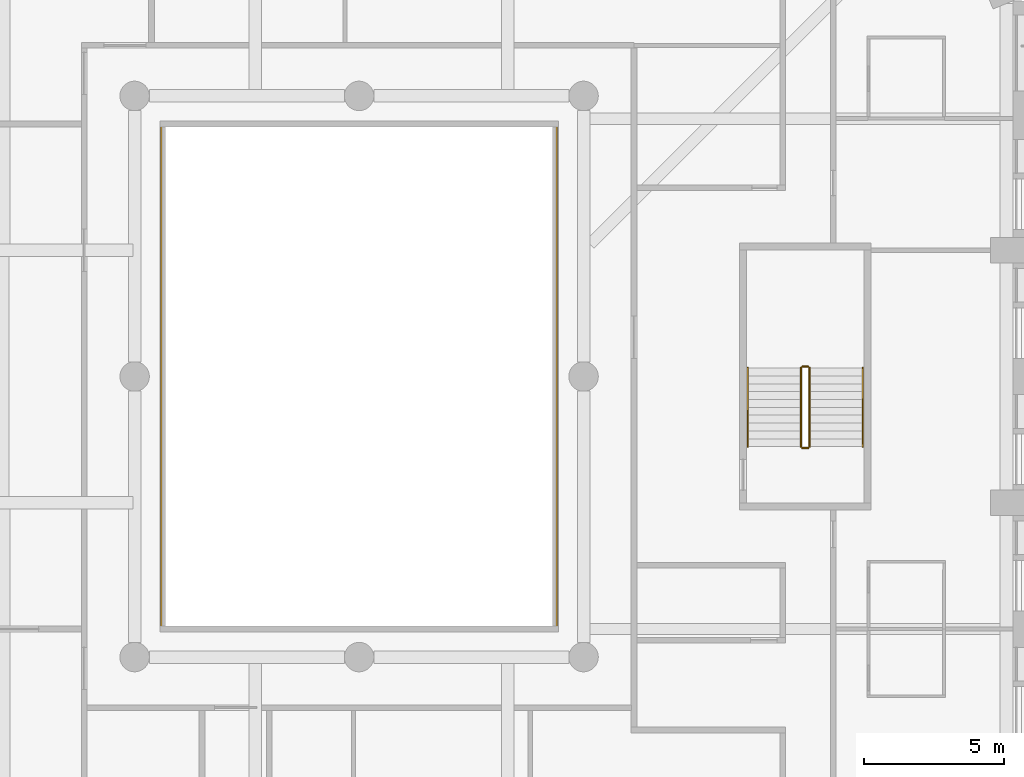
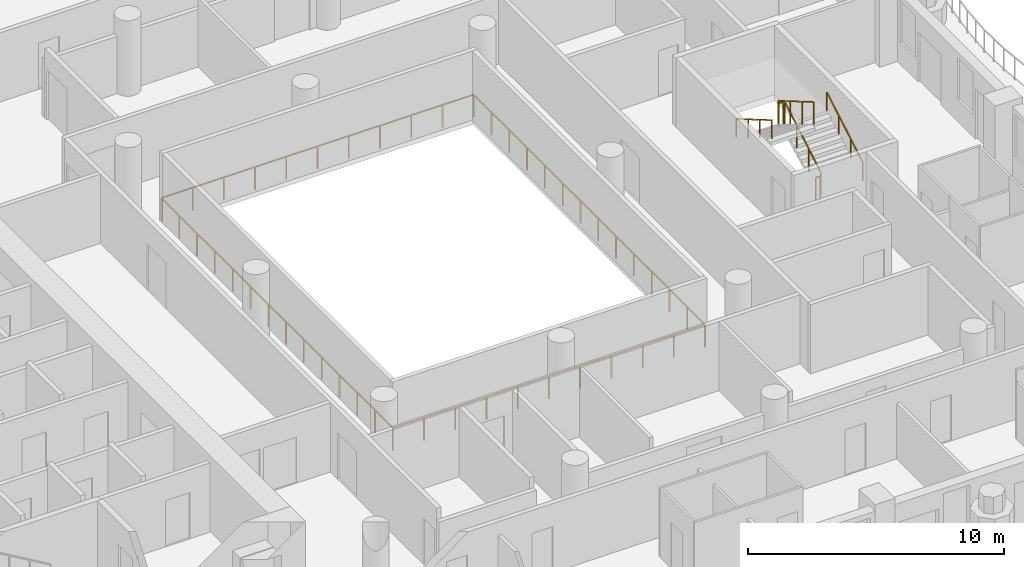
# One storey, part 16 of 21: 7 railings.
"""IFC4 building model written with IfcOpenShell, lengths in metres."""

from ifc_helpers import new_model, si_unit, direction, frame, origin, origin_2d, place, context, subcontext, project, spatial, rectangle, extrude, material, type_object, element, save


model = new_model("IFC4")

# Units and contexts
model_context = context("Model", 3, precision=1e-05, world=origin(), true_north=direction((0.0, 1.0)))
body_context = subcontext(model_context, "Body", "Model", "MODEL_VIEW")
ifc_project = project(units=[si_unit("LENGTHUNIT", "METRE"), si_unit("AREAUNIT", "SQUARE_METRE"), si_unit("VOLUMEUNIT", "CUBIC_METRE"), si_unit("PLANEANGLEUNIT", "RADIAN"), si_unit("MASSUNIT", "GRAM", prefix="KILO")], contexts=[model_context])

# Site, building, storey
site_placement = place(None, origin())
site = spatial("IfcSite", under=ifc_project, at=site_placement, CompositionType="ELEMENT")
building_placement = place(site_placement, origin())
building = spatial("IfcBuilding", under=site, at=building_placement, Name="Cypress Arch Tower", CompositionType="ELEMENT")
storey_placement = place(building_placement, frame((0.0, 0.0, 127.5)))
storey = spatial("IfcBuildingStorey", under=building, at=storey_placement, Name="L27", CompositionType="ELEMENT", Elevation=127.5)

# Railings
ifc_material_1 = material(Name="Stainless steel posts and handrail, laminated glass infill", Category="steel")
railing_type_1 = type_object("IfcRailingType", Name="Atrium guard GR1100A", PredefinedType="GUARDRAIL", material=ifc_material_1)
railing_1_placement = place(storey_placement, frame((8.050048828125, -9.050048828125, 0.0)))
element("IfcRailing", 1, at=railing_1_placement, inside=storey, type_object=railing_type_1, Name="Atrium guard L27", PredefinedType="GUARDRAIL", context=body_context, shape_type="SweptSolid", body=[
    extrude(rectangle(XDim=0.050048828125, YDim=0.050048828125, at=origin_2d()), frame((0.0, 0.0, 1.0751953125), z_axis=(-1.0, 0.0, 0.0), x_axis=(0.0, -1.0, 0.0)), (0.0, 0.0, 1.0), 14.10009765625),
    extrude(rectangle(XDim=0.050048828125, YDim=0.050048828125, at=origin_2d()), frame((-14.10009765625, 0.0, 1.0751953125), z_axis=(0.0, 1.0, 0.0), x_axis=(-1.0, 0.0, 0.0)), (0.0, 0.0, 1.0), 18.10009765625),
    extrude(rectangle(XDim=0.050048828125, YDim=0.050048828125, at=origin_2d()), frame((-14.10009765625, 18.10009765625, 1.0751953125), z_axis=(1.0, 0.0, 0.0), x_axis=(0.0, 1.0, 0.0)), (0.0, 0.0, 1.0), 14.10009765625),
    extrude(rectangle(XDim=0.050048828125, YDim=0.050048828125, at=origin_2d()), frame((0.0, 18.10009765625, 1.0751953125), z_axis=(0.0, -1.0, 0.0), x_axis=(1.0, 0.0, 0.0)), (0.0, 0.0, 1.0), 18.10009765625),
    extrude(rectangle(XDim=0.050048828125, YDim=0.050048828125, at=origin_2d()), origin(), (0.0, 0.0, 1.0), 1.050048828125),
    extrude(rectangle(XDim=0.050048828125, YDim=0.050048828125, at=origin_2d()), frame((-1.409912109375, 0.0, 0.0)), (0.0, 0.0, 1.0), 1.050048828125),
    extrude(rectangle(XDim=0.050048828125, YDim=0.050048828125, at=origin_2d()), frame((-2.820068359375, 0.0, 0.0)), (0.0, 0.0, 1.0), 1.050048828125),
    extrude(rectangle(XDim=0.050048828125, YDim=0.050048828125, at=origin_2d()), frame((-4.22998046875, 0.0, 0.0)), (0.0, 0.0, 1.0), 1.050048828125),
    extrude(rectangle(XDim=0.050048828125, YDim=0.050048828125, at=origin_2d()), frame((-5.64013671875, 0.0, 0.0)), (0.0, 0.0, 1.0), 1.050048828125),
    extrude(rectangle(XDim=0.050048828125, YDim=0.050048828125, at=origin_2d()), frame((-7.050048828125, 0.0, 0.0)), (0.0, 0.0, 1.0), 1.050048828125),
    extrude(rectangle(XDim=0.050048828125, YDim=0.050048828125, at=origin_2d()), frame((-8.4599609375, 0.0, 0.0)), (0.0, 0.0, 1.0), 1.050048828125),
    extrude(rectangle(XDim=0.050048828125, YDim=0.050048828125, at=origin_2d()), frame((-9.8701171875, 0.0, 0.0)), (0.0, 0.0, 1.0), 1.050048828125),
    extrude(rectangle(XDim=0.050048828125, YDim=0.050048828125, at=origin_2d()), frame((-11.280029296875, 0.0, 0.0)), (0.0, 0.0, 1.0), 1.050048828125),
    extrude(rectangle(XDim=0.050048828125, YDim=0.050048828125, at=origin_2d()), frame((-12.690185546875, 0.0, 0.0)), (0.0, 0.0, 1.0), 1.050048828125),
    extrude(rectangle(XDim=0.050048828125, YDim=0.050048828125, at=origin_2d()), frame((-14.10009765625, 0.0, 0.0)), (0.0, 0.0, 1.0), 1.050048828125),
    extrude(rectangle(XDim=0.050048828125, YDim=0.050048828125, at=origin_2d()), frame((-14.10009765625, 1.392333984375, 0.0)), (0.0, 0.0, 1.0), 1.050048828125),
    extrude(rectangle(XDim=0.050048828125, YDim=0.050048828125, at=origin_2d()), frame((-14.10009765625, 2.78466796875, 0.0)), (0.0, 0.0, 1.0), 1.050048828125),
    extrude(rectangle(XDim=0.050048828125, YDim=0.050048828125, at=origin_2d()), frame((-14.10009765625, 4.177001953125, 0.0)), (0.0, 0.0, 1.0), 1.050048828125),
    extrude(rectangle(XDim=0.050048828125, YDim=0.050048828125, at=origin_2d()), frame((-14.10009765625, 5.5693359375, 0.0)), (0.0, 0.0, 1.0), 1.050048828125),
    extrude(rectangle(XDim=0.050048828125, YDim=0.050048828125, at=origin_2d()), frame((-14.10009765625, 6.961669921875, 0.0)), (0.0, 0.0, 1.0), 1.050048828125),
    extrude(rectangle(XDim=0.050048828125, YDim=0.050048828125, at=origin_2d()), frame((-14.10009765625, 8.35400390625, 0.0)), (0.0, 0.0, 1.0), 1.050048828125),
    extrude(rectangle(XDim=0.050048828125, YDim=0.050048828125, at=origin_2d()), frame((-14.10009765625, 9.74609375, 0.0)), (0.0, 0.0, 1.0), 1.050048828125),
    extrude(rectangle(XDim=0.050048828125, YDim=0.050048828125, at=origin_2d()), frame((-14.10009765625, 11.138427734375, 0.0)), (0.0, 0.0, 1.0), 1.050048828125),
    extrude(rectangle(XDim=0.050048828125, YDim=0.050048828125, at=origin_2d()), frame((-14.10009765625, 12.53076171875, 0.0)), (0.0, 0.0, 1.0), 1.050048828125),
    extrude(rectangle(XDim=0.050048828125, YDim=0.050048828125, at=origin_2d()), frame((-14.10009765625, 13.923095703125, 0.0)), (0.0, 0.0, 1.0), 1.050048828125),
    extrude(rectangle(XDim=0.050048828125, YDim=0.050048828125, at=origin_2d()), frame((-14.10009765625, 15.3154296875, 0.0)), (0.0, 0.0, 1.0), 1.050048828125),
    extrude(rectangle(XDim=0.050048828125, YDim=0.050048828125, at=origin_2d()), frame((-14.10009765625, 16.707763671875, 0.0)), (0.0, 0.0, 1.0), 1.050048828125),
    extrude(rectangle(XDim=0.050048828125, YDim=0.050048828125, at=origin_2d()), frame((-14.10009765625, 18.10009765625, 0.0)), (0.0, 0.0, 1.0), 1.050048828125),
    extrude(rectangle(XDim=0.050048828125, YDim=0.050048828125, at=origin_2d()), frame((-12.690185546875, 18.10009765625, 0.0)), (0.0, 0.0, 1.0), 1.050048828125),
    extrude(rectangle(XDim=0.050048828125, YDim=0.050048828125, at=origin_2d()), frame((-11.280029296875, 18.10009765625, 0.0)), (0.0, 0.0, 1.0), 1.050048828125),
    extrude(rectangle(XDim=0.050048828125, YDim=0.050048828125, at=origin_2d()), frame((-9.8701171875, 18.10009765625, 0.0)), (0.0, 0.0, 1.0), 1.050048828125),
    extrude(rectangle(XDim=0.050048828125, YDim=0.050048828125, at=origin_2d()), frame((-8.4599609375, 18.10009765625, 0.0)), (0.0, 0.0, 1.0), 1.050048828125),
    extrude(rectangle(XDim=0.050048828125, YDim=0.050048828125, at=origin_2d()), frame((-7.050048828125, 18.10009765625, 0.0)), (0.0, 0.0, 1.0), 1.050048828125),
    extrude(rectangle(XDim=0.050048828125, YDim=0.050048828125, at=origin_2d()), frame((-5.64013671875, 18.10009765625, 0.0)), (0.0, 0.0, 1.0), 1.050048828125),
    extrude(rectangle(XDim=0.050048828125, YDim=0.050048828125, at=origin_2d()), frame((-4.22998046875, 18.10009765625, 0.0)), (0.0, 0.0, 1.0), 1.050048828125),
    extrude(rectangle(XDim=0.050048828125, YDim=0.050048828125, at=origin_2d()), frame((-2.820068359375, 18.10009765625, 0.0)), (0.0, 0.0, 1.0), 1.050048828125),
    extrude(rectangle(XDim=0.050048828125, YDim=0.050048828125, at=origin_2d()), frame((-1.409912109375, 18.10009765625, 0.0)), (0.0, 0.0, 1.0), 1.050048828125),
    extrude(rectangle(XDim=0.050048828125, YDim=0.050048828125, at=origin_2d()), frame((0.0, 18.10009765625, 0.0)), (0.0, 0.0, 1.0), 1.050048828125),
    extrude(rectangle(XDim=0.050048828125, YDim=0.050048828125, at=origin_2d()), frame((0.0, 16.707763671875, 0.0)), (0.0, 0.0, 1.0), 1.050048828125),
    extrude(rectangle(XDim=0.050048828125, YDim=0.050048828125, at=origin_2d()), frame((0.0, 15.3154296875, 0.0)), (0.0, 0.0, 1.0), 1.050048828125),
    extrude(rectangle(XDim=0.050048828125, YDim=0.050048828125, at=origin_2d()), frame((0.0, 13.923095703125, 0.0)), (0.0, 0.0, 1.0), 1.050048828125),
    extrude(rectangle(XDim=0.050048828125, YDim=0.050048828125, at=origin_2d()), frame((0.0, 12.53076171875, 0.0)), (0.0, 0.0, 1.0), 1.050048828125),
    extrude(rectangle(XDim=0.050048828125, YDim=0.050048828125, at=origin_2d()), frame((0.0, 11.138427734375, 0.0)), (0.0, 0.0, 1.0), 1.050048828125),
    extrude(rectangle(XDim=0.050048828125, YDim=0.050048828125, at=origin_2d()), frame((0.0, 9.74609375, 0.0)), (0.0, 0.0, 1.0), 1.050048828125),
    extrude(rectangle(XDim=0.050048828125, YDim=0.050048828125, at=origin_2d()), frame((0.0, 8.35400390625, 0.0)), (0.0, 0.0, 1.0), 1.050048828125),
    extrude(rectangle(XDim=0.050048828125, YDim=0.050048828125, at=origin_2d()), frame((0.0, 6.961669921875, 0.0)), (0.0, 0.0, 1.0), 1.050048828125),
    extrude(rectangle(XDim=0.050048828125, YDim=0.050048828125, at=origin_2d()), frame((0.0, 5.5693359375, 0.0)), (0.0, 0.0, 1.0), 1.050048828125),
    extrude(rectangle(XDim=0.050048828125, YDim=0.050048828125, at=origin_2d()), frame((0.0, 4.177001953125, 0.0)), (0.0, 0.0, 1.0), 1.050048828125),
    extrude(rectangle(XDim=0.050048828125, YDim=0.050048828125, at=origin_2d()), frame((0.0, 2.78466796875, 0.0)), (0.0, 0.0, 1.0), 1.050048828125),
    extrude(rectangle(XDim=0.050048828125, YDim=0.050048828125, at=origin_2d()), frame((0.0, 1.392333984375, 0.0)), (0.0, 0.0, 1.0), 1.050048828125),
])
ifc_material_2 = material(Name="Black powder-coated steel square bar 48 mm", Category="steel")
railing_type_2 = type_object("IfcRailingType", Name="Stair handrail HR1", PredefinedType="HANDRAIL", material=ifc_material_2)
railing_2_placement = place(storey_placement, frame((18.949951171875, -2.5, 0.16357421875)))
element("IfcRailing", 2, at=railing_2_placement, inside=storey, type_object=railing_type_2, Name="L27 C stair handrail 1", PredefinedType="HANDRAIL", context=body_context, shape_type="SweptSolid", body=[
    extrude(rectangle(XDim=0.048095703125, YDim=0.048095703125, at=origin_2d()), frame((0.0, 0.0, 0.8759765625), z_axis=(0.0, 0.863360870873, 0.504586966384), x_axis=(-1.0, 0.0, 0.0)), (0.0, 0.0, 1.0), 3.2431640625),
    extrude(rectangle(XDim=0.0419921875, YDim=0.0419921875, at=origin_2d()), origin(), (0.0, 0.0, 1.0), 0.851806640625),
    extrude(rectangle(XDim=0.0419921875, YDim=0.0419921875, at=origin_2d()), frame((0.0, 0.933349609375, 0.54541015625)), (0.0, 0.0, 1.0), 0.851806640625),
    extrude(rectangle(XDim=0.0419921875, YDim=0.0419921875, at=origin_2d()), frame((0.0, 1.86669921875, 1.091064453125)), (0.0, 0.0, 1.0), 0.851806640625),
    extrude(rectangle(XDim=0.0419921875, YDim=0.0419921875, at=origin_2d()), frame((0.0, 2.800048828125, 1.636474609375)), (0.0, 0.0, 1.0), 0.851806640625),
])
railing_3_placement = place(storey_placement, frame((14.85009765625, 0.300048828125, 1.963623046875)))
element("IfcRailing", 3, at=railing_3_placement, inside=storey, type_object=railing_type_2, Name="L27 C stair handrail 2", PredefinedType="HANDRAIL", context=body_context, shape_type="SweptSolid", body=[
    extrude(rectangle(XDim=0.048095703125, YDim=0.048095703125, at=origin_2d()), frame((0.0, 0.0, 0.8759765625), z_axis=(0.0, -0.863360870873, 0.504586966384), x_axis=(1.0, 0.0, 0.0)), (0.0, 0.0, 1.0), 3.2431640625),
    extrude(rectangle(XDim=0.0419921875, YDim=0.0419921875, at=origin_2d()), origin(), (0.0, 0.0, 1.0), 0.851806640625),
    extrude(rectangle(XDim=0.0419921875, YDim=0.0419921875, at=origin_2d()), frame((0.0, -0.933349609375, 0.54541015625)), (0.0, 0.0, 1.0), 0.851806640625),
    extrude(rectangle(XDim=0.0419921875, YDim=0.0419921875, at=origin_2d()), frame((0.0, -1.86669921875, 1.091064453125)), (0.0, 0.0, 1.0), 0.851806640625),
    extrude(rectangle(XDim=0.0419921875, YDim=0.0419921875, at=origin_2d()), frame((0.0, -2.800048828125, 1.636474609375)), (0.0, 0.0, 1.0), 0.851806640625),
])
ifc_material_3 = material(Name="Black powder-coated steel balusters", Category="steel")
railing_type_3 = type_object("IfcRailingType", Name="Stair well guard G1", PredefinedType="GUARDRAIL", material=ifc_material_3)
railing_4_placement = place(storey_placement, frame((17.050048828125, -2.5, 0.16357421875)))
element("IfcRailing", 4, at=railing_4_placement, inside=storey, type_object=railing_type_3, Name="L27 C stair guard 1", PredefinedType="GUARDRAIL", context=body_context, shape_type="SweptSolid", body=[
    extrude(rectangle(XDim=0.048095703125, YDim=0.048095703125, at=origin_2d()), frame((0.0, 0.0, 1.076171875), z_axis=(0.0, 0.863360870873, 0.504586966384), x_axis=(-1.0, 0.0, 0.0)), (0.0, 0.0, 1.0), 3.2431640625),
    extrude(rectangle(XDim=0.0419921875, YDim=0.0419921875, at=origin_2d()), origin(), (0.0, 0.0, 1.0), 1.052001953125),
    extrude(rectangle(XDim=0.0419921875, YDim=0.0419921875, at=origin_2d()), frame((0.0, 0.933349609375, 0.54541015625)), (0.0, 0.0, 1.0), 1.052001953125),
    extrude(rectangle(XDim=0.0419921875, YDim=0.0419921875, at=origin_2d()), frame((0.0, 1.86669921875, 1.091064453125)), (0.0, 0.0, 1.0), 1.052001953125),
    extrude(rectangle(XDim=0.0419921875, YDim=0.0419921875, at=origin_2d()), frame((0.0, 2.800048828125, 1.636474609375)), (0.0, 0.0, 1.0), 1.052001953125),
])
railing_5_placement = place(storey_placement, frame((17.0, 0.35009765625, 1.800048828125)))
element("IfcRailing", 5, at=railing_5_placement, inside=storey, type_object=railing_type_3, Name="L27 C stair guard 2", PredefinedType="GUARDRAIL", context=body_context, shape_type="SweptSolid", body=[
    extrude(rectangle(XDim=0.048095703125, YDim=0.048095703125, at=origin_2d()), frame((0.0, 0.0, 1.076171875), z_axis=(-1.0, 0.0, 0.0), x_axis=(0.0, -1.0, 0.0)), (0.0, 0.0, 1.0), 0.199951171875),
    extrude(rectangle(XDim=0.0419921875, YDim=0.0419921875, at=origin_2d()), origin(), (0.0, 0.0, 1.0), 1.052001953125),
    extrude(rectangle(XDim=0.0419921875, YDim=0.0419921875, at=origin_2d()), frame((-0.199951171875, 0.0, 0.0)), (0.0, 0.0, 1.0), 1.052001953125),
])
railing_6_placement = place(storey_placement, frame((16.75, 0.300048828125, 1.963623046875)))
element("IfcRailing", 6, at=railing_6_placement, inside=storey, type_object=railing_type_3, Name="L27 C stair guard 3", PredefinedType="GUARDRAIL", context=body_context, shape_type="SweptSolid", body=[
    extrude(rectangle(XDim=0.048095703125, YDim=0.048095703125, at=origin_2d()), frame((0.0, 0.0, 1.076171875), z_axis=(0.0, -0.863360870873, 0.504586966384), x_axis=(1.0, 0.0, 0.0)), (0.0, 0.0, 1.0), 3.2431640625),
    extrude(rectangle(XDim=0.0419921875, YDim=0.0419921875, at=origin_2d()), origin(), (0.0, 0.0, 1.0), 1.052001953125),
    extrude(rectangle(XDim=0.0419921875, YDim=0.0419921875, at=origin_2d()), frame((0.0, -0.933349609375, 0.54541015625)), (0.0, 0.0, 1.0), 1.052001953125),
    extrude(rectangle(XDim=0.0419921875, YDim=0.0419921875, at=origin_2d()), frame((0.0, -1.86669921875, 1.091064453125)), (0.0, 0.0, 1.0), 1.052001953125),
    extrude(rectangle(XDim=0.0419921875, YDim=0.0419921875, at=origin_2d()), frame((0.0, -2.800048828125, 1.636474609375)), (0.0, 0.0, 1.0), 1.052001953125),
])
railing_7_placement = place(storey_placement, frame((17.0, -2.550048828125, 0.0)))
element("IfcRailing", 7, at=railing_7_placement, inside=storey, type_object=railing_type_3, Name="L27 C stair guard 4", PredefinedType="GUARDRAIL", context=body_context, shape_type="SweptSolid", body=[
    extrude(rectangle(XDim=0.048095703125, YDim=0.048095703125, at=origin_2d()), frame((0.0, 0.0, 1.076171875), z_axis=(-1.0, 0.0, 0.0), x_axis=(0.0, -1.0, 0.0)), (0.0, 0.0, 1.0), 0.199951171875),
    extrude(rectangle(XDim=0.0419921875, YDim=0.0419921875, at=origin_2d()), origin(), (0.0, 0.0, 1.0), 1.052001953125),
    extrude(rectangle(XDim=0.0419921875, YDim=0.0419921875, at=origin_2d()), frame((-0.199951171875, 0.0, 0.0)), (0.0, 0.0, 1.0), 1.052001953125),
])

save(model, "model.ifc")
